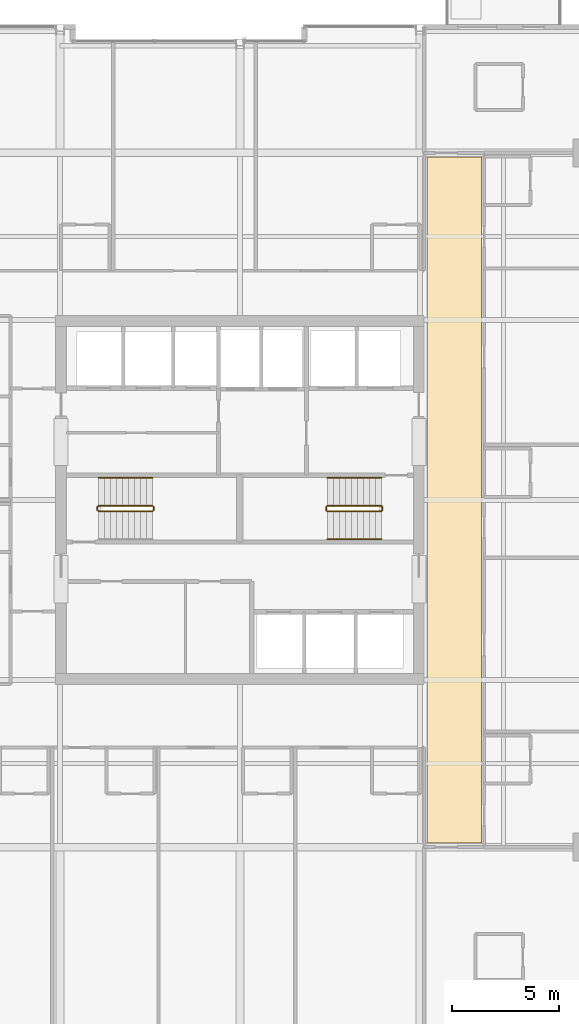
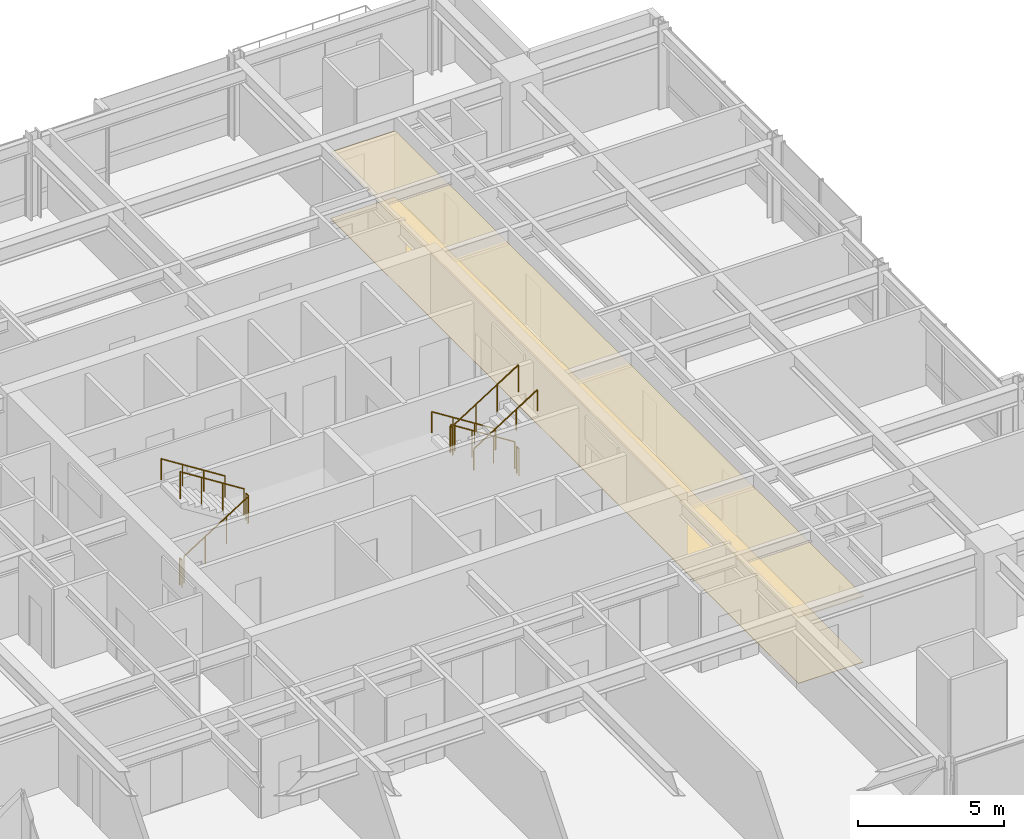
# One storey, part 33 of 34: 11 railings, 2 coverings.
"""IFC4 building model written with IfcOpenShell, lengths in metres."""

from ifc_helpers import new_model, si_unit, direction, frame, origin, origin_2d, place, context, subcontext, project, spatial, polyline, circle, outline, extrude, material, layer, layer_set, type_object, element, save


model = new_model("IFC4")

# Units and contexts
model_context = context("Model", 3, precision=1e-05, world=origin(), true_north=direction((0.0, 1.0)))
body_context = subcontext(model_context, "Body", "Model", "MODEL_VIEW")
ifc_project = project(units=[si_unit("LENGTHUNIT", "METRE"), si_unit("AREAUNIT", "SQUARE_METRE"), si_unit("VOLUMEUNIT", "CUBIC_METRE"), si_unit("PLANEANGLEUNIT", "RADIAN"), si_unit("MASSUNIT", "GRAM", prefix="KILO")], contexts=[model_context])

# Site, building, storey
site_placement = place(None, origin())
site = spatial("IfcSite", under=ifc_project, at=site_placement, CompositionType="ELEMENT")
building_placement = place(site_placement, origin())
building = spatial("IfcBuilding", under=site, at=building_placement, Name="Drelvath Grand Hotel", CompositionType="ELEMENT")
storey_placement = place(building_placement, frame((0.0, 0.0, 175.25)))
storey = spatial("IfcBuildingStorey", under=building, at=storey_placement, Name="L45", CompositionType="ELEMENT", Elevation=175.25)

# Railings
ifc_material_1 = material(Name="Painted Steel S275", Category="steel")
railing_type_1 = type_object("IfcRailingType", Name="Core Stair Wall Handrail 900", PredefinedType="HANDRAIL", material=ifc_material_1)
railing_1_placement = place(storey_placement, frame((-4.080078125, 28.030029296875, 1.952392578125)))
element("IfcRailing", 1, at=railing_1_placement, inside=storey, type_object=railing_type_1, Name="L45 ST-1 stair handrail 2", PredefinedType="HANDRAIL", context=body_context, shape_type="SweptSolid", body=[
    extrude(circle(Radius=0.02392578125, at=origin_2d()), frame((0.0, 0.0, 0.8759765625), z_axis=(-0.84456994832, 0.0, 0.535445237532), x_axis=(0.0, -1.0, 0.0)), (0.0, 0.0, 1.0), 2.98388671875),
    extrude(circle(Radius=0.02099609375, at=origin_2d()), origin(), (0.0, 0.0, 1.0), 0.851806640625),
    extrude(circle(Radius=0.02099609375, at=origin_2d()), frame((-0.840087890625, 0.0, 0.532470703125)), (0.0, 0.0, 1.0), 0.851806640625),
    extrude(circle(Radius=0.02099609375, at=origin_2d()), frame((-1.679931640625, 0.0, 1.065185546875)), (0.0, 0.0, 1.0), 0.851806640625),
    extrude(circle(Radius=0.02099609375, at=origin_2d()), frame((-2.52001953125, 0.0, 1.59765625)), (0.0, 0.0, 1.0), 0.851806640625),
])
railing_2_placement = place(storey_placement, frame((6.60009765625, 28.030029296875, 0.177490234375)))
element("IfcRailing", 2, at=railing_2_placement, inside=storey, type_object=railing_type_1, Name="L45 ST-2 stair handrail 1", PredefinedType="HANDRAIL", context=body_context, shape_type="SweptSolid", body=[
    extrude(circle(Radius=0.02392578125, at=origin_2d()), frame((0.0, 0.0, 0.8759765625), z_axis=(-0.84460694969, 0.0, 0.535386869969), x_axis=(0.0, -1.0, 0.0)), (0.0, 0.0, 1.0), 2.983642578125),
    extrude(circle(Radius=0.02099609375, at=origin_2d()), origin(), (0.0, 0.0, 1.0), 0.851806640625),
    extrude(circle(Radius=0.02099609375, at=origin_2d()), frame((-0.840087890625, 0.0, 0.532470703125)), (0.0, 0.0, 1.0), 0.851806640625),
    extrude(circle(Radius=0.02099609375, at=origin_2d()), frame((-1.679931640625, 0.0, 1.06494140625)), (0.0, 0.0, 1.0), 0.851806640625),
    extrude(circle(Radius=0.02099609375, at=origin_2d()), frame((-2.52001953125, 0.0, 1.597412109375)), (0.0, 0.0, 1.0), 0.851806640625),
])
railing_3_placement = place(storey_placement, frame((4.080078125, 25.169921875, 1.952392578125)))
element("IfcRailing", 3, at=railing_3_placement, inside=storey, type_object=railing_type_1, Name="L45 ST-2 stair handrail 2", PredefinedType="HANDRAIL", context=body_context, shape_type="SweptSolid", body=[
    extrude(circle(Radius=0.02392578125, at=origin_2d()), frame((0.0, 0.0, 0.8759765625), z_axis=(0.84456994832, 0.0, 0.535445237532), x_axis=(0.0, 1.0, 0.0)), (0.0, 0.0, 1.0), 2.98388671875),
    extrude(circle(Radius=0.02099609375, at=origin_2d()), origin(), (0.0, 0.0, 1.0), 0.851806640625),
    extrude(circle(Radius=0.02099609375, at=origin_2d()), frame((0.840087890625, 0.0, 0.532470703125)), (0.0, 0.0, 1.0), 0.851806640625),
    extrude(circle(Radius=0.02099609375, at=origin_2d()), frame((1.679931640625, 0.0, 1.065185546875)), (0.0, 0.0, 1.0), 0.851806640625),
    extrude(circle(Radius=0.02099609375, at=origin_2d()), frame((2.52001953125, 0.0, 1.59765625)), (0.0, 0.0, 1.0), 0.851806640625),
])
railing_type_2 = type_object("IfcRailingType", Name="Core Stair Well Guardrail 1100", PredefinedType="GUARDRAIL", material=ifc_material_1)
railing_4_placement = place(storey_placement, frame((-6.60009765625, 26.469970703125, 0.177490234375)))
element("IfcRailing", 4, at=railing_4_placement, inside=storey, type_object=railing_type_2, Name="L45 ST-1 stair guard 1", PredefinedType="GUARDRAIL", context=body_context, shape_type="SweptSolid", body=[
    extrude(circle(Radius=0.02392578125, at=origin_2d()), frame((0.0, 0.0, 1.1259765625), z_axis=(0.84460694969, 0.0, 0.535386869969), x_axis=(0.0, 1.0, 0.0)), (0.0, 0.0, 1.0), 2.983642578125),
    extrude(circle(Radius=0.02099609375, at=origin_2d()), origin(), (0.0, 0.0, 1.0), 1.101806640625),
    extrude(circle(Radius=0.02099609375, at=origin_2d()), frame((0.840087890625, 0.0, 0.532470703125)), (0.0, 0.0, 1.0), 1.101806640625),
    extrude(circle(Radius=0.02099609375, at=origin_2d()), frame((1.679931640625, 0.0, 1.06494140625)), (0.0, 0.0, 1.0), 1.101806640625),
    extrude(circle(Radius=0.02099609375, at=origin_2d()), frame((2.52001953125, 0.0, 1.597412109375)), (0.0, 0.0, 1.0), 1.101806640625),
])
railing_5_placement = place(storey_placement, frame((-4.030029296875, 26.52001953125, 1.77490234375)))
element("IfcRailing", 5, at=railing_5_placement, inside=storey, type_object=railing_type_2, Name="L45 ST-1 stair guard 2", PredefinedType="GUARDRAIL", context=body_context, shape_type="SweptSolid", body=[
    extrude(circle(Radius=0.02392578125, at=origin_2d()), frame((0.0, 0.0, 1.1259765625), z_axis=(0.0, 1.0, 0.0), x_axis=(-1.0, 0.0, 0.0)), (0.0, 0.0, 1.0), 0.159912109375),
    extrude(circle(Radius=0.02099609375, at=origin_2d()), origin(), (0.0, 0.0, 1.0), 1.101806640625),
    extrude(circle(Radius=0.02099609375, at=origin_2d()), frame((0.0, 0.159912109375, 0.0)), (0.0, 0.0, 1.0), 1.101806640625),
])
railing_6_placement = place(storey_placement, frame((-4.080078125, 26.72998046875, 1.952392578125)))
element("IfcRailing", 6, at=railing_6_placement, inside=storey, type_object=railing_type_2, Name="L45 ST-1 stair guard 3", PredefinedType="GUARDRAIL", context=body_context, shape_type="SweptSolid", body=[
    extrude(circle(Radius=0.02392578125, at=origin_2d()), frame((0.0, 0.0, 1.1259765625), z_axis=(-0.84456994832, 0.0, 0.535445237532), x_axis=(0.0, -1.0, 0.0)), (0.0, 0.0, 1.0), 2.98388671875),
    extrude(circle(Radius=0.02099609375, at=origin_2d()), origin(), (0.0, 0.0, 1.0), 1.101806640625),
    extrude(circle(Radius=0.02099609375, at=origin_2d()), frame((-0.840087890625, 0.0, 0.532470703125)), (0.0, 0.0, 1.0), 1.101806640625),
    extrude(circle(Radius=0.02099609375, at=origin_2d()), frame((-1.679931640625, 0.0, 1.065185546875)), (0.0, 0.0, 1.0), 1.101806640625),
    extrude(circle(Radius=0.02099609375, at=origin_2d()), frame((-2.52001953125, 0.0, 1.59765625)), (0.0, 0.0, 1.0), 1.101806640625),
])
railing_7_placement = place(storey_placement, frame((-6.64990234375, 26.52001953125, 0.0)))
element("IfcRailing", 7, at=railing_7_placement, inside=storey, type_object=railing_type_2, Name="L45 ST-1 stair guard 4", PredefinedType="GUARDRAIL", context=body_context, shape_type="SweptSolid", body=[
    extrude(circle(Radius=0.02392578125, at=origin_2d()), frame((0.0, 0.0, 1.1259765625), z_axis=(0.0, 1.0, 0.0), x_axis=(-1.0, 0.0, 0.0)), (0.0, 0.0, 1.0), 0.159912109375),
    extrude(circle(Radius=0.02099609375, at=origin_2d()), origin(), (0.0, 0.0, 1.0), 1.101806640625),
    extrude(circle(Radius=0.02099609375, at=origin_2d()), frame((0.0, 0.159912109375, 0.0)), (0.0, 0.0, 1.0), 1.101806640625),
])
railing_8_placement = place(storey_placement, frame((6.60009765625, 26.72998046875, 0.177490234375)))
element("IfcRailing", 8, at=railing_8_placement, inside=storey, type_object=railing_type_2, Name="L45 ST-2 stair guard 1", PredefinedType="GUARDRAIL", context=body_context, shape_type="SweptSolid", body=[
    extrude(circle(Radius=0.02392578125, at=origin_2d()), frame((0.0, 0.0, 1.1259765625), z_axis=(-0.84460694969, 0.0, 0.535386869969), x_axis=(0.0, -1.0, 0.0)), (0.0, 0.0, 1.0), 2.983642578125),
    extrude(circle(Radius=0.02099609375, at=origin_2d()), origin(), (0.0, 0.0, 1.0), 1.101806640625),
    extrude(circle(Radius=0.02099609375, at=origin_2d()), frame((-0.840087890625, 0.0, 0.532470703125)), (0.0, 0.0, 1.0), 1.101806640625),
    extrude(circle(Radius=0.02099609375, at=origin_2d()), frame((-1.679931640625, 0.0, 1.06494140625)), (0.0, 0.0, 1.0), 1.101806640625),
    extrude(circle(Radius=0.02099609375, at=origin_2d()), frame((-2.52001953125, 0.0, 1.597412109375)), (0.0, 0.0, 1.0), 1.101806640625),
])
railing_9_placement = place(storey_placement, frame((4.030029296875, 26.679931640625, 1.77490234375)))
element("IfcRailing", 9, at=railing_9_placement, inside=storey, type_object=railing_type_2, Name="L45 ST-2 stair guard 2", PredefinedType="GUARDRAIL", context=body_context, shape_type="SweptSolid", body=[
    extrude(circle(Radius=0.02392578125, at=origin_2d()), frame((0.0, 0.0, 1.1259765625), z_axis=(0.0, -1.0, 0.0), x_axis=(1.0, 0.0, 0.0)), (0.0, 0.0, 1.0), 0.159912109375),
    extrude(circle(Radius=0.02099609375, at=origin_2d()), origin(), (0.0, 0.0, 1.0), 1.101806640625),
    extrude(circle(Radius=0.02099609375, at=origin_2d()), frame((0.0, -0.159912109375, 0.0)), (0.0, 0.0, 1.0), 1.101806640625),
])
railing_10_placement = place(storey_placement, frame((4.080078125, 26.469970703125, 1.952392578125)))
element("IfcRailing", 10, at=railing_10_placement, inside=storey, type_object=railing_type_2, Name="L45 ST-2 stair guard 3", PredefinedType="GUARDRAIL", context=body_context, shape_type="SweptSolid", body=[
    extrude(circle(Radius=0.02392578125, at=origin_2d()), frame((0.0, 0.0, 1.1259765625), z_axis=(0.84456994832, 0.0, 0.535445237532), x_axis=(0.0, 1.0, 0.0)), (0.0, 0.0, 1.0), 2.98388671875),
    extrude(circle(Radius=0.02099609375, at=origin_2d()), origin(), (0.0, 0.0, 1.0), 1.101806640625),
    extrude(circle(Radius=0.02099609375, at=origin_2d()), frame((0.840087890625, 0.0, 0.532470703125)), (0.0, 0.0, 1.0), 1.101806640625),
    extrude(circle(Radius=0.02099609375, at=origin_2d()), frame((1.679931640625, 0.0, 1.065185546875)), (0.0, 0.0, 1.0), 1.101806640625),
    extrude(circle(Radius=0.02099609375, at=origin_2d()), frame((2.52001953125, 0.0, 1.59765625)), (0.0, 0.0, 1.0), 1.101806640625),
])
railing_11_placement = place(storey_placement, frame((6.64990234375, 26.679931640625, 0.0)))
element("IfcRailing", 11, at=railing_11_placement, inside=storey, type_object=railing_type_2, Name="L45 ST-2 stair guard 4", PredefinedType="GUARDRAIL", context=body_context, shape_type="SweptSolid", body=[
    extrude(circle(Radius=0.02392578125, at=origin_2d()), frame((0.0, 0.0, 1.1259765625), z_axis=(0.0, -1.0, 0.0), x_axis=(1.0, 0.0, 0.0)), (0.0, 0.0, 1.0), 0.159912109375),
    extrude(circle(Radius=0.02099609375, at=origin_2d()), origin(), (0.0, 0.0, 1.0), 1.101806640625),
    extrude(circle(Radius=0.02099609375, at=origin_2d()), frame((0.0, -0.159912109375, 0.0)), (0.0, 0.0, 1.0), 1.101806640625),
])

# Coverings
ifc_material_2 = material(Name="Woven Wool Broadloom Carpet")
ifc_layer_1 = layer(ifc_material_2, 0.01806640625)
ifc_layer_set_1 = layer_set([ifc_layer_1], Name="Woven Wool Broadloom Carpet")
covering_type_1 = type_object("IfcCoveringType", Name="Hospitality Broadloom Carpet 18", PredefinedType="FLOORING", material=ifc_layer_set_1)
covering_1_placement = place(storey_placement, origin())
element("IfcCovering", 12, at=covering_1_placement, inside=storey, type_object=covering_type_1, Name="L45 East Spine Carpet", PredefinedType="FLOORING", context=body_context, shape_type="SweptSolid", body=[
    extrude(outline(polyline([(11.280029296875, 11.0), (11.280029296875, 43.0), (8.719970703125, 43.0), (8.719970703125, 11.0), (11.280029296875, 11.0)])), origin(), (0.0, 0.0, 1.0), 0.01806640625),
])
ifc_material_3 = material(Name="Anodised Aluminium Alloy", Category="aluminium")
ifc_layer_2 = layer(ifc_material_3, 0.0400390625)
ifc_layer_set_2 = layer_set([ifc_layer_2], Name="Anodised Aluminium Alloy")
covering_type_2 = type_object("IfcCoveringType", Name="Perforated Metal Corridor Ceiling 40", PredefinedType="CEILING", material=ifc_layer_set_2)
covering_2_placement = place(storey_placement, frame((0.0, 0.0, 2.739990234375)))
element("IfcCovering", 13, at=covering_2_placement, inside=storey, type_object=covering_type_2, Name="L45 East Spine Ceiling", PredefinedType="CEILING", context=body_context, shape_type="SweptSolid", body=[
    extrude(outline(polyline([(11.280029296875, 11.0), (11.280029296875, 43.0), (8.719970703125, 43.0), (8.719970703125, 11.0), (11.280029296875, 11.0)])), origin(), (0.0, 0.0, 1.0), 0.0400390625),
])

save(model, "model.ifc")
